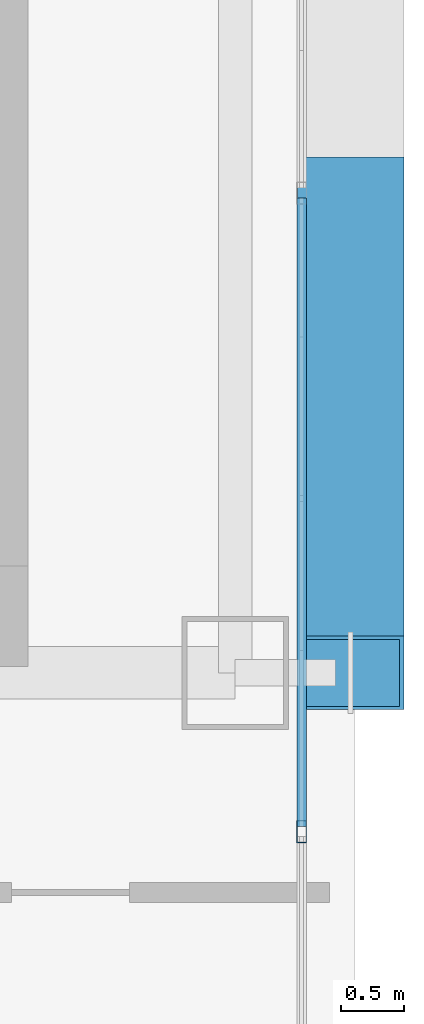
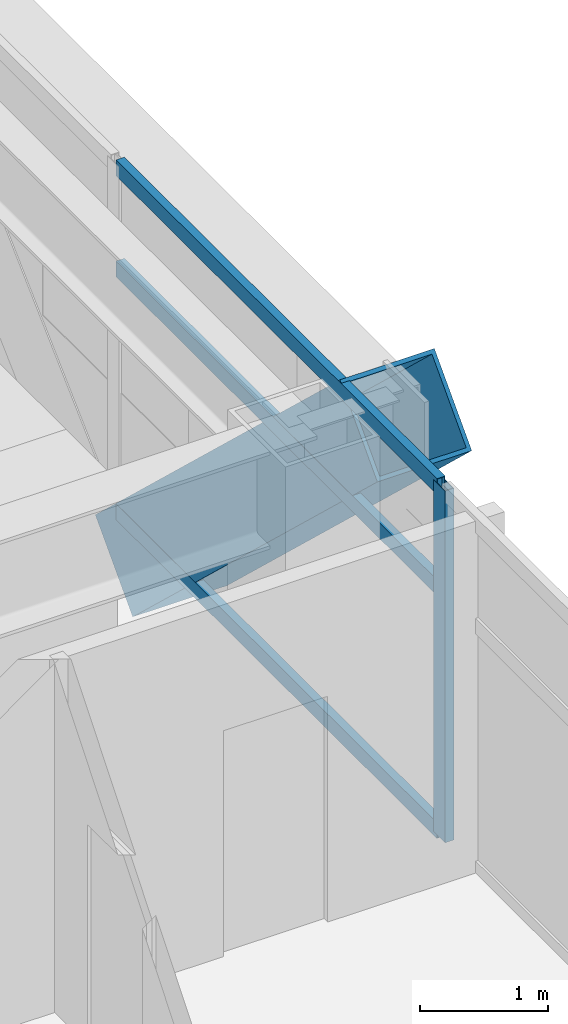
# One storey, part 14 of 41: 5 members, 1 element without a shape of its own.
"""IFC4 building model written with IfcOpenShell, lengths in metres."""

from ifc_helpers import new_model, si_unit, direction, frame, origin, origin_2d, place, context, subcontext, project, spatial, hollow_rectangle, extrude, source, transform, mapped, material, layer, layer_set, material_profile, profile_set, type_object, element, aggregate, save


model = new_model("IFC4")

# Units and contexts
model_context = context("Model", 3, precision=1e-05, world=origin(), true_north=direction((0.0, 1.0)))
body_context = subcontext(model_context, "Body", "Model", "MODEL_VIEW")
ifc_project = project(units=[si_unit("LENGTHUNIT", "METRE"), si_unit("AREAUNIT", "SQUARE_METRE"), si_unit("VOLUMEUNIT", "CUBIC_METRE"), si_unit("PLANEANGLEUNIT", "RADIAN"), si_unit("MASSUNIT", "GRAM", prefix="KILO")], contexts=[model_context])

# Site, building, storey
site_placement = place(None, origin())
site = spatial("IfcSite", under=ifc_project, at=site_placement, CompositionType="ELEMENT")
building_placement = place(site_placement, origin())
building = spatial("IfcBuilding", under=site, at=building_placement, Name="Ocotamira Hotel", CompositionType="ELEMENT")
storey_placement = place(building_placement, frame((0.0, 0.0, 52.800048828125)))
storey = spatial("IfcBuildingStorey", under=building, at=storey_placement, Name="L12", CompositionType="ELEMENT", Elevation=52.800048828125)

# Member
ifc_material_1 = material(Name="Pale-metal coated steel ASTM A913 Grade 65", Category="steel")
ifc_material_profile_1 = material_profile(ifc_material_1, hollow_rectangle(XDim=0.85009765625, YDim=0.85009765625, WallThickness=0.035888671875, at=origin_2d()), Name="BOX850X850X36")
ifc_profile_set_1 = profile_set([ifc_material_profile_1], Name="Pale-metal coated steel ASTM A913 Grade 65")
member_type_1 = type_object("IfcMemberType", Name="MEM-EXO-BOX850", PredefinedType="BRACE", material=ifc_profile_set_1)
shared_shape_1 = source(origin(), body_context, "Body", "SweptSolid", [
    extrude(hollow_rectangle(XDim=0.85009765625, YDim=0.85009765625, WallThickness=0.035888671875, at=origin_2d()), origin(), (0.0, 0.0, 1.0), 5.24658203125),
])
member_1_placement = place(storey_placement, frame((55.969970703125, 18.36669921875, -0.5), z_axis=(0.0, -0.72746596067, 0.686143772154), x_axis=(1.0, 0.0, 0.0)))
element("IfcMember", 1, at=member_1_placement, inside=storey, type_object=member_type_1, Name="L12 Exoskeleton Diagrid E0.1", PredefinedType="BRACE", context=body_context, shape_type="MappedRepresentation", body=[
    mapped(shared_shape_1, transform((0.0, 0.0, 0.0), scale=1.0)),
])

# Curtain wall, members
ifc_material_2 = material(Name="Anodised pale-metal aluminium and solar glass", Category="aluminium")
ifc_layer = layer(ifc_material_2, 0.179931640625)
ifc_layer_set = layer_set([ifc_layer], Name="Anodised pale-metal aluminium and solar glass")
curtain_wall_type = type_object("IfcCurtainWallType", Name="CW-SYS2-Z1", PredefinedType="NOTDEFINED", material=ifc_layer_set)
curtain_wall_placement = place(storey_placement, origin())
curtain_wall = element("IfcCurtainWall", 2, at=curtain_wall_placement, inside=storey, type_object=curtain_wall_type, Name="L12 Curtain Wall CW-2 CW-L12-E", PredefinedType="NOTDEFINED")
ifc_material_3 = material(Name="Anodised pale-metal aluminium 6063-T6", Category="aluminium")
ifc_material_profile_2 = material_profile(ifc_material_3, hollow_rectangle(XDim=0.080078125, YDim=0.179931640625, WallThickness=0.006103515625, at=origin_2d()), Name="HSS180X80X6")
ifc_profile_set_2 = profile_set([ifc_material_profile_2], Name="Anodised pale-metal aluminium 6063-T6")
member_type_2 = type_object("IfcMemberType", Name="CWM-180X75", PredefinedType="MULLION", material=ifc_profile_set_2)
shared_shape_2 = source(origin(), body_context, "Body", "SweptSolid", [
    extrude(hollow_rectangle(XDim=0.080078125, YDim=0.179931640625, WallThickness=0.006103515625, at=origin_2d()), origin(), (0.0, 0.0, 1.0), 3.349853515625),
])
member_2_placement = place(storey_placement, frame((55.580078125, 13.28564453125, 0.0), z_axis=(0.0, 0.0, 1.0), x_axis=(-1.0, 0.0, 0.0)))
member_2 = element("IfcMember", 3, at=member_2_placement, type_object=member_type_2, Name="CW-2 mullion 2", PredefinedType="MULLION", context=body_context, shape_type="MappedRepresentation", body=[
    mapped(shared_shape_2, transform((0.0, 0.0, 0.0), scale=1.0)),
])
ifc_material_profile_3 = material_profile(ifc_material_3, hollow_rectangle(XDim=0.074951171875, YDim=0.14990234375, WallThickness=0.006103515625, at=origin_2d()), Name="HSS150X75X6")
ifc_profile_set_3 = profile_set([ifc_material_profile_3], Name="Anodised pale-metal aluminium 6063-T6")
member_type_3 = type_object("IfcMemberType", Name="CWT-150X75", PredefinedType="USERDEFINED", material=ifc_profile_set_3)
shared_shape_3 = source(origin(), body_context, "Body", "SweptSolid", [
    extrude(hollow_rectangle(XDim=0.074951171875, YDim=0.14990234375, WallThickness=0.006103515625, at=origin_2d()), origin(), (0.0, 0.0, 1.0), 5.005859375),
])
member_3_placement = place(storey_placement, frame((55.580078125, 13.32568359375, 0.037353515625), z_axis=(0.0, 1.0, 0.0), x_axis=(-1.0, 0.0, 0.0)))
member_3 = element("IfcMember", 4, at=member_3_placement, type_object=member_type_3, Name="CW-2 transom 2.1", ObjectType="TRANSOM", PredefinedType="USERDEFINED", context=body_context, shape_type="MappedRepresentation", body=[
    mapped(shared_shape_3, transform((0.0, 0.0, 0.0), scale=1.0)),
])
member_4_placement = place(storey_placement, frame((55.580078125, 13.32568359375, 2.349853515625), z_axis=(0.0, 1.0, 0.0), x_axis=(-1.0, 0.0, 0.0)))
member_4 = element("IfcMember", 5, at=member_4_placement, type_object=member_type_3, Name="CW-2 transom 2.2", ObjectType="TRANSOM", PredefinedType="USERDEFINED", context=body_context, shape_type="MappedRepresentation", body=[
    mapped(shared_shape_3, transform((0.0, 0.0, 0.0), scale=1.0)),
])
member_5_placement = place(storey_placement, frame((55.580078125, 13.32568359375, 3.3125), z_axis=(0.0, 1.0, 0.0), x_axis=(-1.0, 0.0, 0.0)))
member_5 = element("IfcMember", 6, at=member_5_placement, type_object=member_type_3, Name="CW-2 transom 2.3", ObjectType="TRANSOM", PredefinedType="USERDEFINED", context=body_context, shape_type="MappedRepresentation", body=[
    mapped(shared_shape_3, transform((0.0, 0.0, 0.0), scale=1.0)),
])
aggregate(curtain_wall, [member_2, member_3, member_4, member_5])

save(model, "model.ifc")
